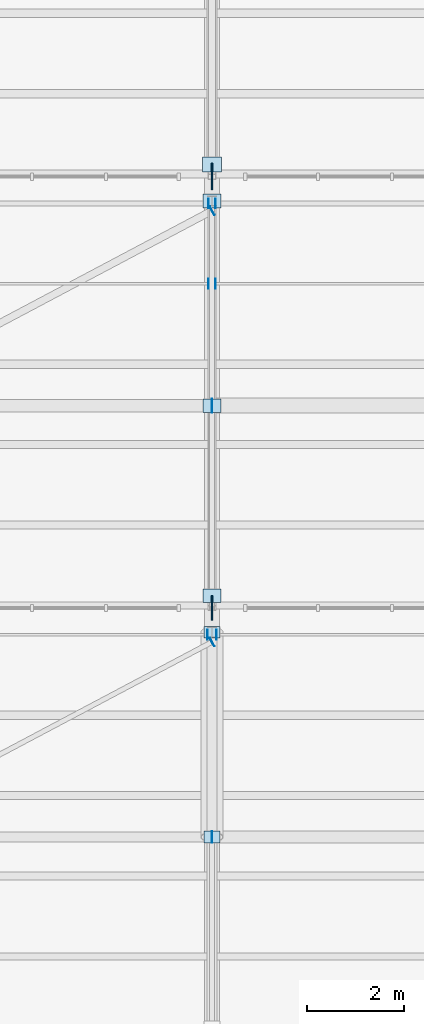
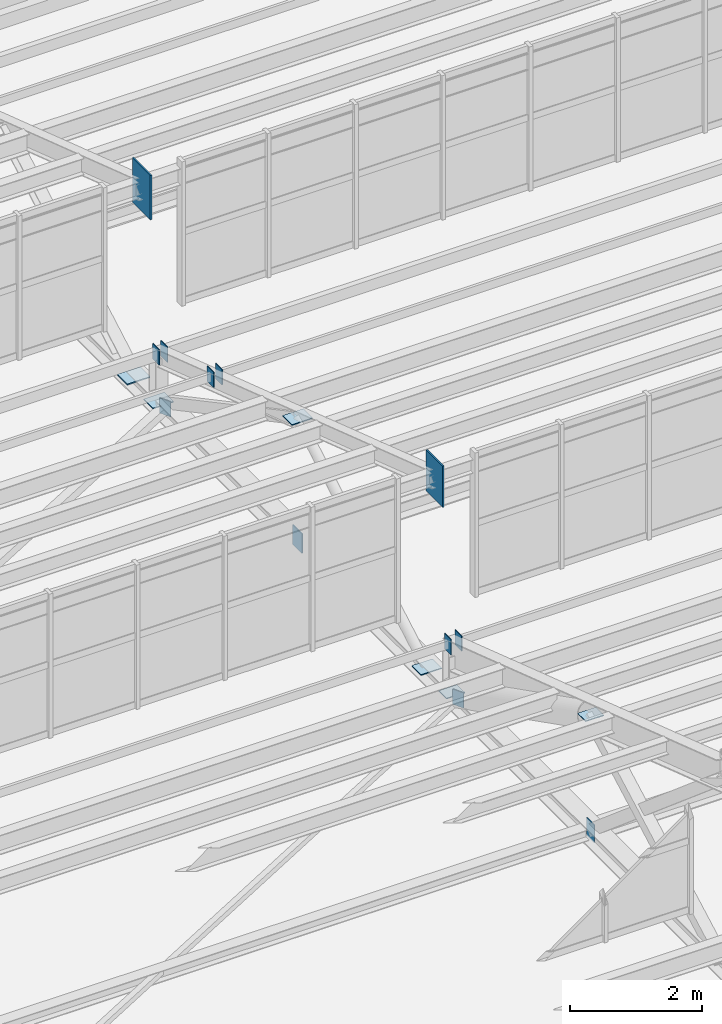
# One storey, part 209 of 285: 18 plates.
"""IFC4 building model written with IfcOpenShell, lengths in metres."""

from ifc_helpers import new_model, si_unit, direction, frame, origin, origin_2d, place, context, subcontext, project, spatial, rectangle, extrude, material, layer, layer_set, type_object, element, save


model = new_model("IFC4")

# Units and contexts
model_context = context("Model", 3, precision=1e-05, world=origin(), true_north=direction((0.0, 1.0)))
body_context = subcontext(model_context, "Body", "Model", "MODEL_VIEW")
ifc_project = project(units=[si_unit("LENGTHUNIT", "METRE"), si_unit("AREAUNIT", "SQUARE_METRE"), si_unit("VOLUMEUNIT", "CUBIC_METRE"), si_unit("PLANEANGLEUNIT", "RADIAN"), si_unit("MASSUNIT", "GRAM", prefix="KILO")], contexts=[model_context])

# Site, building, storey
site_placement = place(None, origin())
site = spatial("IfcSite", under=ifc_project, at=site_placement, CompositionType="ELEMENT")
building_placement = place(site_placement, origin())
building = spatial("IfcBuilding", under=site, at=building_placement, Name="Solanera Park Tramway Depot", CompositionType="ELEMENT")
storey_placement = place(building_placement, origin())
storey = spatial("IfcBuildingStorey", under=building, at=storey_placement, Name="L00", CompositionType="ELEMENT", Elevation=0.0)

# Plates
ifc_material_1 = material(Name="Steel AS/NZS 3679.1 Grade 350", Category="steel")
ifc_layer_1 = layer(ifc_material_1, 0.013916015625)
ifc_layer_set_1 = layer_set([ifc_layer_1], Name="Steel AS/NZS 3679.1 Grade 350")
plate_type_1 = type_object("IfcPlateType", Name="Hollow End Cap and Base Plate 280x200x14", PredefinedType="USERDEFINED", material=ifc_layer_set_1)
for number, where, z_axis, x_axis, name in (
    (1, (59.90625, 99.449951171875, 7.30615234375), (0.0, 0.0, 1.0), (1.0, 0.0, 0.0), "Hollow Section Welded End Cap Plate #0488"),
    (2, (60.09375, 99.449951171875, 7.30615234375), (0.0, 0.0, 1.0), (1.0, 0.0, 0.0), "Hollow Section Welded End Cap Plate #0489"),
    (3, (60.000732421875, 99.301513671875, 6.35986328125), (0.0, 0.0, 1.0), (0.883520501477, 0.468392488698, 0.0), "Hollow Section Welded End Cap Plate #0508"),
    (4, (59.927978515625, 106.64990234375, 7.8583984375), (0.0, 0.0, 1.0), (1.0, 0.0, 0.0), "Hollow Section Welded End Cap Plate #0579"),
    (5, (60.072021484375, 106.64990234375, 7.8583984375), (0.0, 0.0, 1.0), (1.0, 0.0, 0.0), "Hollow Section Welded End Cap Plate #0580"),
    (6, (59.927978515625, 108.300048828125, 7.27294921875), (0.0, 0.0, 1.0), (1.0, 0.0, 0.0), "Hollow Section Welded End Cap Plate #0599"),
    (7, (60.072021484375, 108.300048828125, 7.27294921875), (0.0, 0.0, 1.0), (1.0, 0.0, 0.0), "Hollow Section Welded End Cap Plate #0600"),
    (8, (60.000732421875, 108.1513671875, 6.35986328125), (0.0, 0.0, 1.0), (0.883520501477, 0.468392488698, 0.0), "Hollow Section Welded End Cap Plate #0619"),
):
    element("IfcPlate", number, at=place(storey_placement, frame(where, z_axis=z_axis, x_axis=x_axis)), inside=storey, type_object=plate_type_1, Name=name, ObjectType="BASE PLATE", PredefinedType="USERDEFINED", context=body_context, shape_type="SweptSolid", body=[
        extrude(rectangle(XDim=0.013916015625, YDim=0.199951171875, at=origin_2d()), origin(), (0.0, 0.0, 1.0), 0.280029296875),
    ])
ifc_material_2 = material(Name="Steel AS/NZS 3679.1 Grade 350", Category="steel")
ifc_layer_2 = layer(ifc_material_2, 0.01611328125)
ifc_layer_set_2 = layer_set([ifc_layer_2], Name="Steel AS/NZS 3679.1 Grade 350")
plate_type_2 = type_object("IfcPlateType", Name="Hollow End Cap and Base Plate 320x240x16", PredefinedType="USERDEFINED", material=ifc_layer_set_2)
plate_1_placement = place(storey_placement, frame((60.0, 95.300048828125, 6.33984375), z_axis=(0.0, 0.0, 1.0), x_axis=(1.0, 0.0, 0.0)))
element("IfcPlate", 9, at=plate_1_placement, inside=storey, type_object=plate_type_2, Name="Sawtooth Truss Hollow End Cap #0447", ObjectType="BASE PLATE", PredefinedType="USERDEFINED", context=body_context, shape_type="SweptSolid", body=[
    extrude(rectangle(XDim=0.01611328125, YDim=0.239990234375, at=origin_2d()), origin(), (0.0, 0.0, 1.0), 0.320068359375),
])
for number, where, z_axis, x_axis, name in (
    (10, (60.0, 99.5, 6.491943359375), (0.0, 0.0, 1.0), (1.0, 0.0, 0.0), "Sawtooth Truss Node Cap Plate #0448"),
    (11, (60.0, 95.300048828125, 8.62158203125), (0.0, 0.0, 1.0), (1.0, 0.0, 0.0), "Sawtooth Truss Node Cap Plate #0449"),
):
    element("IfcPlate", number, at=place(storey_placement, frame(where, z_axis=z_axis, x_axis=x_axis)), inside=storey, type_object=plate_type_2, Name=name, ObjectType="BASE PLATE", PredefinedType="USERDEFINED", context=body_context, shape_type="SweptSolid", body=[
        extrude(rectangle(XDim=0.320068359375, YDim=0.239990234375, at=origin_2d()), origin(), (0.0, 0.0, 1.0), 0.01611328125),
    ])
ifc_material_3 = material(Name="Steel AS/NZS 3679.1 Grade 350", Category="steel")
ifc_layer_3 = layer(ifc_material_3, 0.01806640625)
ifc_layer_set_3 = layer_set([ifc_layer_3], Name="Steel AS/NZS 3679.1 Grade 350")
plate_type_3 = type_object("IfcPlateType", Name="Hollow End Cap and Base Plate 360x280x18", PredefinedType="USERDEFINED", material=ifc_layer_set_3)
plate_2_placement = place(storey_placement, frame((60.0, 104.14990234375, 6.31982421875), z_axis=(0.0, 0.0, 1.0), x_axis=(1.0, 0.0, 0.0)))
element("IfcPlate", 12, at=plate_2_placement, inside=storey, type_object=plate_type_3, Name="Sawtooth Truss Hollow End Cap #0538", ObjectType="BASE PLATE", PredefinedType="USERDEFINED", context=body_context, shape_type="SweptSolid", body=[
    extrude(rectangle(XDim=0.01806640625, YDim=0.280029296875, at=origin_2d()), origin(), (0.0, 0.0, 1.0), 0.360107421875),
])
for number, where, z_axis, x_axis, name in (
    (13, (60.0, 108.35009765625, 6.490966796875), (0.0, 0.0, 1.0), (1.0, 0.0, 0.0), "Sawtooth Truss Node Cap Plate #0539"),
    (14, (60.0, 104.14990234375, 8.733642578125), (0.0, 0.0, 1.0), (1.0, 0.0, 0.0), "Sawtooth Truss Node Cap Plate #0540"),
    (15, (60.0, 100.25, 6.490966796875), (0.0, 0.0, 1.0), (1.0, 0.0, 0.0), "Sawtooth Truss Node Cap Plate #0541"),
):
    element("IfcPlate", number, at=place(storey_placement, frame(where, z_axis=z_axis, x_axis=x_axis)), inside=storey, type_object=plate_type_3, Name=name, ObjectType="BASE PLATE", PredefinedType="USERDEFINED", context=body_context, shape_type="SweptSolid", body=[
        extrude(rectangle(XDim=0.360107421875, YDim=0.280029296875, at=origin_2d()), origin(), (0.0, 0.0, 1.0), 0.01806640625),
    ])
ifc_material_4 = material(Name="Steel AS/NZS 3679.1 Grade 350", Category="steel")
ifc_layer_4 = layer(ifc_material_4, 0.02001953125)
ifc_layer_set_4 = layer_set([ifc_layer_4], Name="Steel AS/NZS 3679.1 Grade 350")
plate_type_4 = type_object("IfcPlateType", Name="Hollow End Cap and Base Plate 400x300x20", PredefinedType="USERDEFINED", material=ifc_layer_set_4)
plate_3_placement = place(storey_placement, frame((60.0, 109.10009765625, 6.489990234375), z_axis=(0.0, 0.0, 1.0), x_axis=(1.0, 0.0, 0.0)))
element("IfcPlate", 16, at=plate_3_placement, inside=storey, type_object=plate_type_4, Name="Sawtooth Truss Node Cap Plate #0652", ObjectType="BASE PLATE", PredefinedType="USERDEFINED", context=body_context, shape_type="SweptSolid", body=[
    extrude(rectangle(XDim=0.39990234375, YDim=0.300048828125, at=origin_2d()), origin(), (0.0, 0.0, 1.0), 0.02001953125),
])
ifc_material_5 = material(Name="Steel AS/NZS 3679.1 Grade 350", Category="steel")
ifc_layer_5 = layer(ifc_material_5, 0.02587890625)
ifc_layer_set_5 = layer_set([ifc_layer_5], Name="Steel AS/NZS 3679.1 Grade 350")
plate_type_5 = type_object("IfcPlateType", Name="Truss Node Gusset Stiffener 760x500x26", PredefinedType="SHEET", material=ifc_layer_set_5)
plate_4_placement = place(storey_placement, frame((60.0, 100.0, 9.7509765625), z_axis=(0.0, 0.0, 1.0), x_axis=(1.0, 0.0, 0.0)))
element("IfcPlate", 17, at=plate_4_placement, inside=storey, type_object=plate_type_5, Name="Sawtooth Truss Apex Gusset Plate #0537", PredefinedType="SHEET", context=body_context, shape_type="SweptSolid", body=[
    extrude(rectangle(XDim=0.02587890625, YDim=0.5, at=origin_2d()), origin(), (0.0, 0.0, 1.0), 0.760009765625),
])
ifc_material_6 = material(Name="Steel AS/NZS 3679.1 Grade 350", Category="steel")
ifc_layer_6 = layer(ifc_material_6, 0.028076171875)
ifc_layer_set_6 = layer_set([ifc_layer_6], Name="Steel AS/NZS 3679.1 Grade 350")
plate_type_6 = type_object("IfcPlateType", Name="Truss Node Gusset Stiffener 820x540x28", PredefinedType="SHEET", material=ifc_layer_set_6)
plate_5_placement = place(storey_placement, frame((60.0, 108.85009765625, 9.69677734375), z_axis=(0.0, 0.0, 1.0), x_axis=(1.0, 0.0, 0.0)))
element("IfcPlate", 18, at=plate_5_placement, inside=storey, type_object=plate_type_6, Name="Sawtooth Truss Apex Gusset Plate #0648", PredefinedType="SHEET", context=body_context, shape_type="SweptSolid", body=[
    extrude(rectangle(XDim=0.028076171875, YDim=0.5400390625, at=origin_2d()), origin(), (0.0, 0.0, 1.0), 0.820068359375),
])

save(model, "model.ifc")
